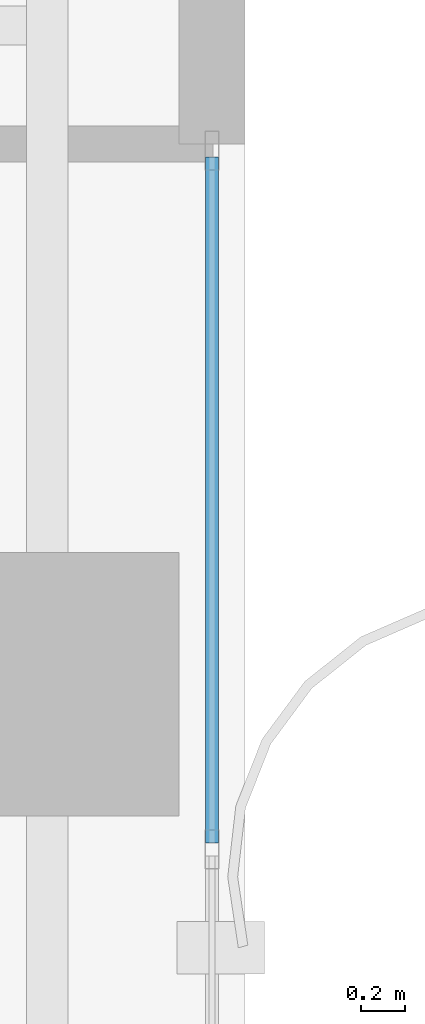
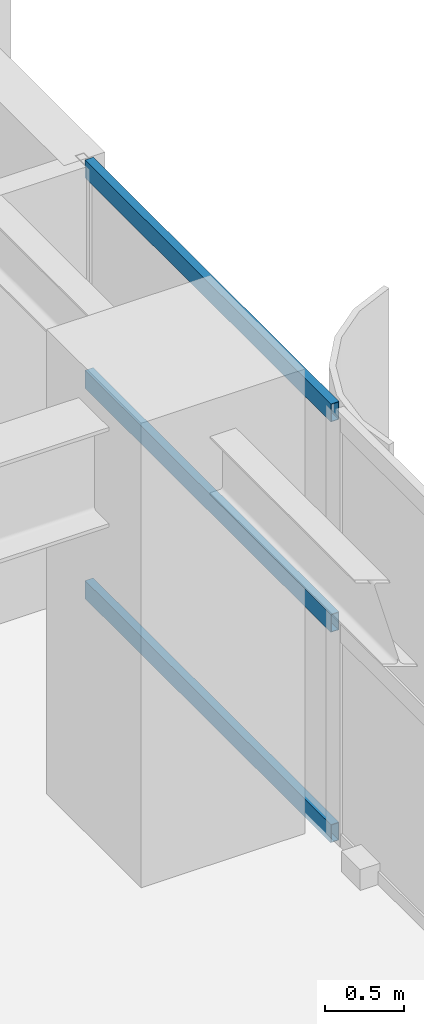
# One storey, part 8 of 23: 3 members, 1 element without a shape of its own.
"""IFC4 building model written with IfcOpenShell, lengths in metres."""

from ifc_helpers import new_model, si_unit, direction, frame, origin, origin_2d, place, context, subcontext, project, spatial, hollow_rectangle, extrude, source, transform, mapped, material, layer, layer_set, material_profile, profile_set, type_object, element, aggregate, save


model = new_model("IFC4")

# Units and contexts
model_context = context("Model", 3, precision=1e-05, world=origin(), true_north=direction((0.0, 1.0)))
body_context = subcontext(model_context, "Body", "Model", "MODEL_VIEW")
ifc_project = project(units=[si_unit("LENGTHUNIT", "METRE"), si_unit("AREAUNIT", "SQUARE_METRE"), si_unit("VOLUMEUNIT", "CUBIC_METRE"), si_unit("PLANEANGLEUNIT", "RADIAN"), si_unit("MASSUNIT", "GRAM", prefix="KILO")], contexts=[model_context])

# Site, building, storey
site_placement = place(None, origin())
site = spatial("IfcSite", under=ifc_project, at=site_placement, CompositionType="ELEMENT")
building_placement = place(site_placement, origin())
building = spatial("IfcBuilding", under=site, at=building_placement, Name="Khoralis Quay Care Tower", CompositionType="ELEMENT")
storey_placement = place(building_placement, frame((0.0, 0.0, 33.300048828125)))
storey = spatial("IfcBuildingStorey", under=building, at=storey_placement, Name="L08", CompositionType="ELEMENT", Elevation=33.300048828125)

# Curtain wall, members
ifc_material = material(Name="Pale anodised aluminium", Category="aluminium")
ifc_layer = layer(ifc_material, 0.179931640625)
ifc_layer_set = layer_set([ifc_layer], Name="Pale anodised aluminium")
curtain_wall_type = type_object("IfcCurtainWallType", Name="CW-SYS-Z1", PredefinedType="NOTDEFINED", material=ifc_layer_set)
curtain_wall_placement = place(storey_placement, origin())
curtain_wall = element("IfcCurtainWall", 1, at=curtain_wall_placement, inside=storey, type_object=curtain_wall_type, Name="L08 Unitised Curtain Wall CW-L08-P1-E5", PredefinedType="NOTDEFINED")
ifc_material_profile = material_profile(ifc_material, hollow_rectangle(XDim=0.06005859375, YDim=0.139892578125, WallThickness=0.00390625, at=origin_2d()), Name="Pale anodised aluminium")
ifc_profile_set = profile_set([ifc_material_profile], Name="Pale anodised aluminium")
member_type = type_object("IfcMemberType", Name="CW-TRN-140", PredefinedType="USERDEFINED", material=ifc_profile_set)
shared_shape = source(origin(), body_context, "Body", "SweptSolid", [
    extrude(hollow_rectangle(XDim=0.06005859375, YDim=0.139892578125, WallThickness=0.00390625, at=origin_2d()), origin(), (0.0, 0.0, 1.0), 3.121826171875),
])
member_1_placement = place(storey_placement, frame((47.85009765625, 29.278076171875, 0.030029296875), z_axis=(0.0, 1.0, 0.0), x_axis=(-1.0, 0.0, 0.0)))
member_1 = element("IfcMember", 2, at=member_1_placement, type_object=member_type, Name="CW1 transom 5.1", ObjectType="TRANSOM", PredefinedType="USERDEFINED", context=body_context, shape_type="MappedRepresentation", body=[
    mapped(shared_shape, transform((0.0, 0.0, 0.0), scale=1.0)),
])
member_2_placement = place(storey_placement, frame((47.85009765625, 29.278076171875, 1.659912109375), z_axis=(0.0, 1.0, 0.0), x_axis=(-1.0, 0.0, 0.0)))
member_2 = element("IfcMember", 3, at=member_2_placement, type_object=member_type, Name="CW1 transom 5.2", ObjectType="TRANSOM", PredefinedType="USERDEFINED", context=body_context, shape_type="MappedRepresentation", body=[
    mapped(shared_shape, transform((0.0, 0.0, 0.0), scale=1.0)),
])
member_3_placement = place(storey_placement, frame((47.85009765625, 29.278076171875, 3.2900390625), z_axis=(0.0, 1.0, 0.0), x_axis=(-1.0, 0.0, 0.0)))
member_3 = element("IfcMember", 4, at=member_3_placement, type_object=member_type, Name="CW1 transom 5.3", ObjectType="TRANSOM", PredefinedType="USERDEFINED", context=body_context, shape_type="MappedRepresentation", body=[
    mapped(shared_shape, transform((0.0, 0.0, 0.0), scale=1.0)),
])
aggregate(curtain_wall, [member_1, member_2, member_3])

save(model, "model.ifc")
